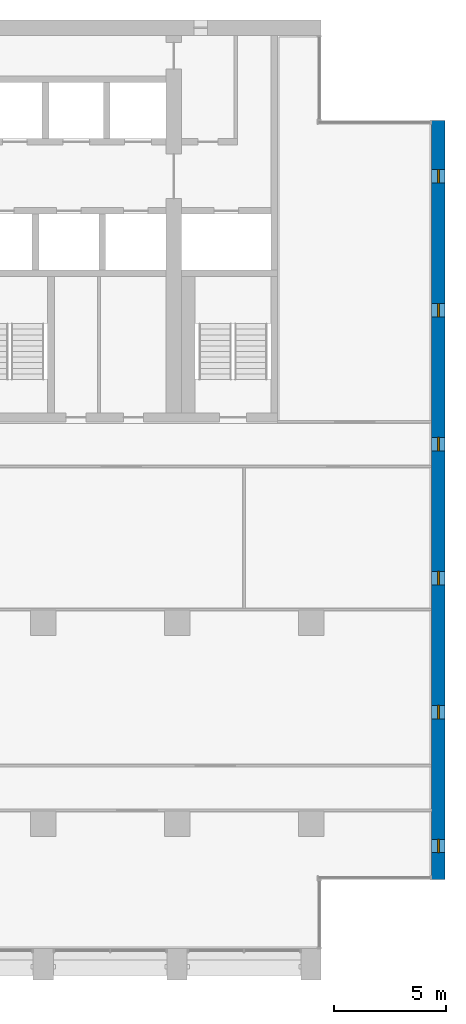
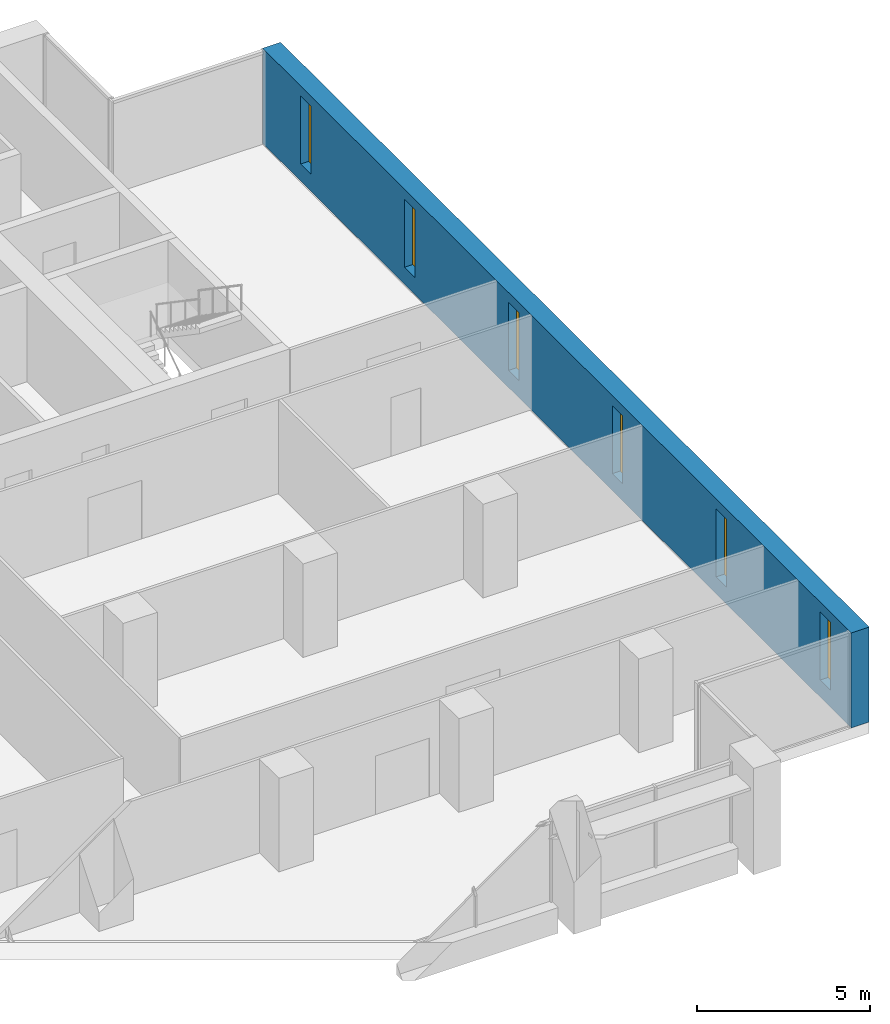
# One storey, part 12 of 17: 6 windows, 1 wall, 6 openings.
"""IFC4 building model written with IfcOpenShell, lengths in metres."""

from ifc_helpers import new_model, si_unit, direction, frame, frame_2d, origin, place, context, subcontext, project, spatial, rectangle, extrude, material, layer, layer_set, type_object, element, fill, save


model = new_model("IFC4")

# Units and contexts
model_context = context("Model", 3, precision=1e-05, world=origin(), true_north=direction((0.0, 1.0)))
body_context = subcontext(model_context, "Body", "Model", "MODEL_VIEW")
ifc_project = project(units=[si_unit("LENGTHUNIT", "METRE"), si_unit("AREAUNIT", "SQUARE_METRE"), si_unit("VOLUMEUNIT", "CUBIC_METRE"), si_unit("PLANEANGLEUNIT", "RADIAN"), si_unit("MASSUNIT", "GRAM", prefix="KILO")], contexts=[model_context])

# Site, building, storey
site_placement = place(None, origin())
site = spatial("IfcSite", under=ifc_project, at=site_placement, CompositionType="ELEMENT")
building_placement = place(site_placement, origin())
building = spatial("IfcBuilding", under=site, at=building_placement, Name="Calvaro Tower", CompositionType="ELEMENT")
storey_placement = place(building_placement, frame((0.0, 0.0, 185.5)))
storey = spatial("IfcBuildingStorey", under=building, at=storey_placement, Name="L46", CompositionType="ELEMENT", Elevation=185.5)

# Wall, openings, windows
ifc_material_1 = material(Name="Concrete C50/60", Category="concrete")
ifc_layer = layer(ifc_material_1, 0.60009765625)
ifc_layer_set = layer_set([ifc_layer], Name="Concrete C50/60")
wall_type = type_object("IfcWallType", Name="End wall 600 C50/60", PredefinedType="SHEAR", material=ifc_layer_set)
wall_placement = place(storey_placement, frame((71.699951171875, 7.5, 0.0), z_axis=(0.0, 0.0, 1.0), x_axis=(0.0, 1.0, 0.0)))
wall = element("IfcWall", 1, at=wall_placement, inside=storey, type_object=wall_type, Name="End shear wall", PredefinedType="SHEAR", context=body_context, shape_type="SweptSolid", body=[
    extrude(rectangle(XDim=34.0, YDim=0.60009765625, at=frame_2d((17.0, 0.0))), origin(), (0.0, 0.0, 1.0), 3.35009765625),
])
opening_1_placement = place(wall_placement, frame((1.199951171875, 0.0, 0.60009765625)))
opening_1 = element("IfcOpeningElement", 2, at=opening_1_placement, cuts=wall, Name="Opening WE01", PredefinedType="OPENING", context=body_context, shape_type="SweptSolid", body=[
    extrude(rectangle(XDim=0.60009765625, YDim=2.39990234375, at=frame_2d((0.300048828125, 1.199951171875))), frame((0.0, 0.31005859375, 0.0), z_axis=(0.0, -1.0, 0.0), x_axis=(1.0, 0.0, 0.0)), (0.0, 0.0, 1.0), 0.6201171875),
])
opening_2_placement = place(wall_placement, frame((7.199951171875, 0.0, 0.60009765625)))
opening_2 = element("IfcOpeningElement", 3, at=opening_2_placement, cuts=wall, Name="Opening WE02", PredefinedType="OPENING", context=body_context, shape_type="SweptSolid", body=[
    extrude(rectangle(XDim=0.60009765625, YDim=2.39990234375, at=frame_2d((0.300048828125, 1.199951171875))), frame((0.0, 0.31005859375, 0.0), z_axis=(0.0, -1.0, 0.0), x_axis=(1.0, 0.0, 0.0)), (0.0, 0.0, 1.0), 0.6201171875),
])
opening_3_placement = place(wall_placement, frame((13.199951171875, 0.0, 0.60009765625)))
opening_3 = element("IfcOpeningElement", 4, at=opening_3_placement, cuts=wall, Name="Opening WE03", PredefinedType="OPENING", context=body_context, shape_type="SweptSolid", body=[
    extrude(rectangle(XDim=0.60009765625, YDim=2.39990234375, at=frame_2d((0.300048828125, 1.199951171875))), frame((0.0, 0.31005859375, 0.0), z_axis=(0.0, -1.0, 0.0), x_axis=(1.0, 0.0, 0.0)), (0.0, 0.0, 1.0), 0.6201171875),
])
opening_4_placement = place(wall_placement, frame((19.199951171875, 0.0, 0.60009765625)))
opening_4 = element("IfcOpeningElement", 5, at=opening_4_placement, cuts=wall, Name="Opening WE04", PredefinedType="OPENING", context=body_context, shape_type="SweptSolid", body=[
    extrude(rectangle(XDim=0.60009765625, YDim=2.39990234375, at=frame_2d((0.300048828125, 1.199951171875))), frame((0.0, 0.31005859375, 0.0), z_axis=(0.0, -1.0, 0.0), x_axis=(1.0, 0.0, 0.0)), (0.0, 0.0, 1.0), 0.6201171875),
])
opening_5_placement = place(wall_placement, frame((25.199951171875, 0.0, 0.60009765625)))
opening_5 = element("IfcOpeningElement", 6, at=opening_5_placement, cuts=wall, Name="Opening WE05", PredefinedType="OPENING", context=body_context, shape_type="SweptSolid", body=[
    extrude(rectangle(XDim=0.60009765625, YDim=2.39990234375, at=frame_2d((0.300048828125, 1.199951171875))), frame((0.0, 0.31005859375, 0.0), z_axis=(0.0, -1.0, 0.0), x_axis=(1.0, 0.0, 0.0)), (0.0, 0.0, 1.0), 0.6201171875),
])
opening_6_placement = place(wall_placement, frame((31.199951171875, 0.0, 0.60009765625)))
opening_6 = element("IfcOpeningElement", 7, at=opening_6_placement, cuts=wall, Name="Opening WE06", PredefinedType="OPENING", context=body_context, shape_type="SweptSolid", body=[
    extrude(rectangle(XDim=0.60009765625, YDim=2.39990234375, at=frame_2d((0.300048828125, 1.199951171875))), frame((0.0, 0.31005859375, 0.0), z_axis=(0.0, -1.0, 0.0), x_axis=(1.0, 0.0, 0.0)), (0.0, 0.0, 1.0), 0.6201171875),
])
ifc_material_2 = material(Name="Glass", Category="glass")
window_type = type_object("IfcWindowType", Name="Slit window 600 x 2400", PartitioningType="SINGLE_PANEL", PredefinedType="WINDOW", material=ifc_material_2)
window_1_placement = place(opening_1_placement, origin())
window_1 = element("IfcWindow", 8, at=window_1_placement, inside=storey, type_object=window_type, Name="Window WE01", OverallHeight=2.39990234375, OverallWidth=0.60009765625, PartitioningType="SINGLE_PANEL", PredefinedType="WINDOW", context=body_context, shape_type="SweptSolid", body=[
    extrude(rectangle(XDim=0.60009765625, YDim=2.39990234375, at=frame_2d((0.300048828125, 1.199951171875))), frame((0.0, 0.030029296875, 0.0), z_axis=(0.0, -1.0, 0.0), x_axis=(1.0, 0.0, 0.0)), (0.0, 0.0, 1.0), 0.06005859375),
])
fill(opening_1, window_1)
window_2_placement = place(opening_2_placement, origin())
window_2 = element("IfcWindow", 9, at=window_2_placement, inside=storey, type_object=window_type, Name="Window WE02", OverallHeight=2.39990234375, OverallWidth=0.60009765625, PartitioningType="SINGLE_PANEL", PredefinedType="WINDOW", context=body_context, shape_type="SweptSolid", body=[
    extrude(rectangle(XDim=0.60009765625, YDim=2.39990234375, at=frame_2d((0.300048828125, 1.199951171875))), frame((0.0, 0.030029296875, 0.0), z_axis=(0.0, -1.0, 0.0), x_axis=(1.0, 0.0, 0.0)), (0.0, 0.0, 1.0), 0.06005859375),
])
fill(opening_2, window_2)
window_3_placement = place(opening_3_placement, origin())
window_3 = element("IfcWindow", 10, at=window_3_placement, inside=storey, type_object=window_type, Name="Window WE03", OverallHeight=2.39990234375, OverallWidth=0.60009765625, PartitioningType="SINGLE_PANEL", PredefinedType="WINDOW", context=body_context, shape_type="SweptSolid", body=[
    extrude(rectangle(XDim=0.60009765625, YDim=2.39990234375, at=frame_2d((0.300048828125, 1.199951171875))), frame((0.0, 0.030029296875, 0.0), z_axis=(0.0, -1.0, 0.0), x_axis=(1.0, 0.0, 0.0)), (0.0, 0.0, 1.0), 0.06005859375),
])
fill(opening_3, window_3)
window_4_placement = place(opening_4_placement, origin())
window_4 = element("IfcWindow", 11, at=window_4_placement, inside=storey, type_object=window_type, Name="Window WE04", OverallHeight=2.39990234375, OverallWidth=0.60009765625, PartitioningType="SINGLE_PANEL", PredefinedType="WINDOW", context=body_context, shape_type="SweptSolid", body=[
    extrude(rectangle(XDim=0.60009765625, YDim=2.39990234375, at=frame_2d((0.300048828125, 1.199951171875))), frame((0.0, 0.030029296875, 0.0), z_axis=(0.0, -1.0, 0.0), x_axis=(1.0, 0.0, 0.0)), (0.0, 0.0, 1.0), 0.06005859375),
])
fill(opening_4, window_4)
window_5_placement = place(opening_5_placement, origin())
window_5 = element("IfcWindow", 12, at=window_5_placement, inside=storey, type_object=window_type, Name="Window WE05", OverallHeight=2.39990234375, OverallWidth=0.60009765625, PartitioningType="SINGLE_PANEL", PredefinedType="WINDOW", context=body_context, shape_type="SweptSolid", body=[
    extrude(rectangle(XDim=0.60009765625, YDim=2.39990234375, at=frame_2d((0.300048828125, 1.199951171875))), frame((0.0, 0.030029296875, 0.0), z_axis=(0.0, -1.0, 0.0), x_axis=(1.0, 0.0, 0.0)), (0.0, 0.0, 1.0), 0.06005859375),
])
fill(opening_5, window_5)
window_6_placement = place(opening_6_placement, origin())
window_6 = element("IfcWindow", 13, at=window_6_placement, inside=storey, type_object=window_type, Name="Window WE06", OverallHeight=2.39990234375, OverallWidth=0.60009765625, PartitioningType="SINGLE_PANEL", PredefinedType="WINDOW", context=body_context, shape_type="SweptSolid", body=[
    extrude(rectangle(XDim=0.60009765625, YDim=2.39990234375, at=frame_2d((0.300048828125, 1.199951171875))), frame((0.0, 0.030029296875, 0.0), z_axis=(0.0, -1.0, 0.0), x_axis=(1.0, 0.0, 0.0)), (0.0, 0.0, 1.0), 0.06005859375),
])
fill(opening_6, window_6)

save(model, "model.ifc")
